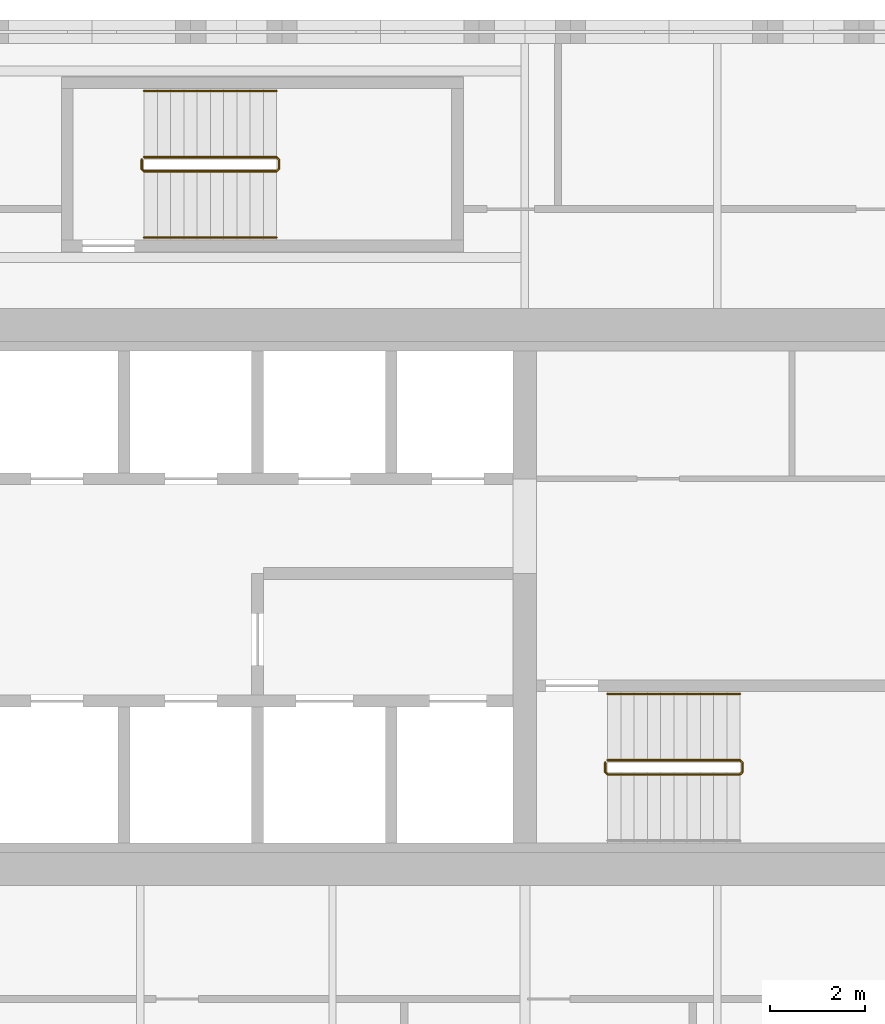
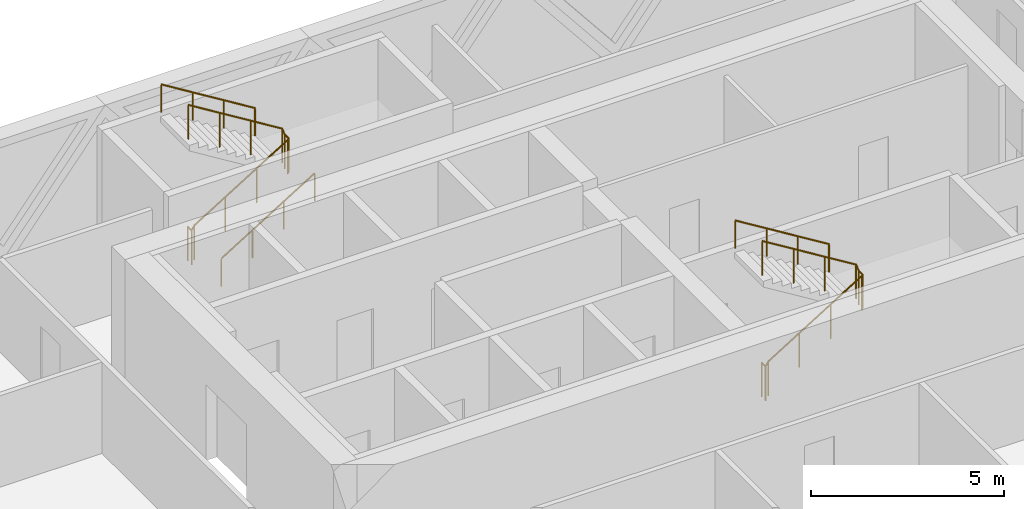
# One storey, part 24 of 24: 5 railings.
"""IFC4 building model written with IfcOpenShell, lengths in metres."""

from ifc_helpers import new_model, si_unit, direction, frame, origin, origin_2d, place, context, subcontext, project, spatial, circle, extrude, material, type_object, element, save


model = new_model("IFC4")

# Units and contexts
model_context = context("Model", 3, precision=1e-05, world=origin(), true_north=direction((0.0, 1.0)))
body_context = subcontext(model_context, "Body", "Model", "MODEL_VIEW")
ifc_project = project(units=[si_unit("LENGTHUNIT", "METRE"), si_unit("AREAUNIT", "SQUARE_METRE"), si_unit("VOLUMEUNIT", "CUBIC_METRE"), si_unit("PLANEANGLEUNIT", "RADIAN"), si_unit("MASSUNIT", "GRAM", prefix="KILO")], contexts=[model_context])

# Site, building, storey
site_placement = place(None, origin())
site = spatial("IfcSite", under=ifc_project, at=site_placement, CompositionType="ELEMENT")
building_placement = place(site_placement, origin())
building = spatial("IfcBuilding", under=site, at=building_placement, Name="Tessera Gate Towers", CompositionType="ELEMENT")
storey_placement = place(building_placement, frame((0.0, 0.0, 60.0)))
storey = spatial("IfcBuildingStorey", under=building, at=storey_placement, Name="L14", CompositionType="ELEMENT", Elevation=60.0)

# Railings
ifc_material_1 = material(Name="Steel 350W", Category="steel")
railing_type_1 = type_object("IfcRailingType", Name="STAIR GUARD 1100", PredefinedType="GUARDRAIL", material=ifc_material_1)
railing_1_placement = place(storey_placement, frame((111.5, 39.199951171875, 0.0)))
element("IfcRailing", 1, at=railing_1_placement, inside=storey, type_object=railing_type_1, Name="L14 ST6 stair guard 1", PredefinedType="GUARDRAIL", context=body_context, shape_type="SweptSolid", body=[
    extrude(circle(Radius=0.02392578125, at=origin_2d()), frame((0.0, 0.0, 1.076171875), z_axis=(0.0, -1.0, 0.0), x_axis=(1.0, 0.0, 0.0)), (0.0, 0.0, 1.0), 0.199951171875),
    extrude(circle(Radius=0.02392578125, at=origin_2d()), frame((0.0, -0.199951171875, 1.076171875), z_axis=(0.268277960024, -0.268277960024, 0.925231793839), x_axis=(0.707106781187, 0.707106781187, 0.0)), (0.0, 0.0, 1.0), 0.1865234375),
    extrude(circle(Radius=0.02392578125, at=origin_2d()), frame((0.050048828125, -0.25, 1.24853515625), z_axis=(0.851089632645, 0.0, 0.525020415988), x_axis=(0.0, 1.0, 0.0)), (0.0, 0.0, 1.0), 3.2900390625),
    extrude(circle(Radius=0.02392578125, at=origin_2d()), frame((2.85009765625, -0.25, 2.97607421875), z_axis=(0.705375805398, 0.708833529934, 0.0), x_axis=(-0.708833529934, 0.705375805398, 0.0)), (0.0, 0.0, 1.0), 0.070556640625),
    extrude(circle(Radius=0.02392578125, at=origin_2d()), frame((2.89990234375, -0.199951171875, 2.97607421875), z_axis=(0.0, 1.0, 0.0), x_axis=(-1.0, 0.0, 0.0)), (0.0, 0.0, 1.0), 0.199951171875),
    extrude(circle(Radius=0.02392578125, at=origin_2d()), frame((2.89990234375, 0.0, 2.97607421875), z_axis=(-0.266739603011, 0.268047150085, 0.925743328097), x_axis=(-0.708833529934, -0.705375805398, 0.0)), (0.0, 0.0, 1.0), 0.186767578125),
    extrude(circle(Radius=0.02392578125, at=origin_2d()), frame((2.85009765625, 0.050048828125, 3.14892578125), z_axis=(-0.851089632645, 0.0, 0.525020415988), x_axis=(0.0, -1.0, 0.0)), (0.0, 0.0, 1.0), 3.2900390625),
    extrude(circle(Radius=0.02099609375, at=origin_2d()), origin(), (0.0, 0.0, 1.0), 1.052001953125),
    extrude(circle(Radius=0.02099609375, at=origin_2d()), frame((0.0, -0.199951171875, 0.0)), (0.0, 0.0, 1.0), 1.052001953125),
    extrude(circle(Radius=0.02099609375, at=origin_2d()), frame((0.050048828125, -0.25, 0.172607421875)), (0.0, 0.0, 1.0), 1.052001953125),
    extrude(circle(Radius=0.02099609375, at=origin_2d()), frame((0.9833984375, -0.25, 0.748291015625)), (0.0, 0.0, 1.0), 1.052001953125),
    extrude(circle(Radius=0.02099609375, at=origin_2d()), frame((1.916748046875, -0.25, 1.32421875)), (0.0, 0.0, 1.0), 1.052001953125),
    extrude(circle(Radius=0.02099609375, at=origin_2d()), frame((2.85009765625, -0.25, 1.89990234375)), (0.0, 0.0, 1.0), 1.052001953125),
    extrude(circle(Radius=0.02099609375, at=origin_2d()), frame((2.89990234375, -0.199951171875, 1.89990234375)), (0.0, 0.0, 1.0), 1.052001953125),
    extrude(circle(Radius=0.02099609375, at=origin_2d()), frame((2.89990234375, 0.0, 1.89990234375)), (0.0, 0.0, 1.0), 1.052001953125),
    extrude(circle(Radius=0.02099609375, at=origin_2d()), frame((2.85009765625, 0.050048828125, 2.07275390625)), (0.0, 0.0, 1.0), 1.052001953125),
    extrude(circle(Radius=0.02099609375, at=origin_2d()), frame((1.916748046875, 0.050048828125, 2.6484375)), (0.0, 0.0, 1.0), 1.052001953125),
    extrude(circle(Radius=0.02099609375, at=origin_2d()), frame((0.9833984375, 0.050048828125, 3.224365234375)), (0.0, 0.0, 1.0), 1.052001953125),
    extrude(circle(Radius=0.02099609375, at=origin_2d()), frame((0.050048828125, 0.050048828125, 3.800048828125)), (0.0, 0.0, 1.0), 1.052001953125),
])
railing_2_placement = place(storey_placement, frame((101.699951171875, 51.949951171875, 0.0)))
element("IfcRailing", 2, at=railing_2_placement, inside=storey, type_object=railing_type_1, Name="L14 ST7 stair guard 1", PredefinedType="GUARDRAIL", context=body_context, shape_type="SweptSolid", body=[
    extrude(circle(Radius=0.02392578125, at=origin_2d()), frame((0.0, 0.0, 1.076171875), z_axis=(0.0, -1.0, 0.0), x_axis=(1.0, 0.0, 0.0)), (0.0, 0.0, 1.0), 0.199951171875),
    extrude(circle(Radius=0.02392578125, at=origin_2d()), frame((0.0, -0.199951171875, 1.076171875), z_axis=(0.268277960024, -0.268277960024, 0.925231793839), x_axis=(0.707106781187, 0.707106781187, 0.0)), (0.0, 0.0, 1.0), 0.1865234375),
    extrude(circle(Radius=0.02392578125, at=origin_2d()), frame((0.050048828125, -0.25, 1.24853515625), z_axis=(0.851089632645, 0.0, 0.525020415988), x_axis=(0.0, 1.0, 0.0)), (0.0, 0.0, 1.0), 3.2900390625),
    extrude(circle(Radius=0.02392578125, at=origin_2d()), frame((2.85009765625, -0.25, 2.97607421875), z_axis=(0.707106781187, 0.707106781187, 0.0), x_axis=(-0.707106781187, 0.707106781187, 0.0)), (0.0, 0.0, 1.0), 0.07080078125),
    extrude(circle(Radius=0.02392578125, at=origin_2d()), frame((2.900146484375, -0.199951171875, 2.97607421875), z_axis=(0.0, 1.0, 0.0), x_axis=(-1.0, 0.0, 0.0)), (0.0, 0.0, 1.0), 0.199951171875),
    extrude(circle(Radius=0.02392578125, at=origin_2d()), frame((2.900146484375, 0.0, 2.97607421875), z_axis=(-0.267953482034, 0.267953482034, 0.925419830635), x_axis=(-0.707106781187, -0.707106781187, 0.0)), (0.0, 0.0, 1.0), 0.186767578125),
    extrude(circle(Radius=0.02392578125, at=origin_2d()), frame((2.85009765625, 0.050048828125, 3.14892578125), z_axis=(-0.851089632645, 0.0, 0.525020415988), x_axis=(0.0, -1.0, 0.0)), (0.0, 0.0, 1.0), 3.2900390625),
    extrude(circle(Radius=0.02099609375, at=origin_2d()), origin(), (0.0, 0.0, 1.0), 1.052001953125),
    extrude(circle(Radius=0.02099609375, at=origin_2d()), frame((0.0, -0.199951171875, 0.0)), (0.0, 0.0, 1.0), 1.052001953125),
    extrude(circle(Radius=0.02099609375, at=origin_2d()), frame((0.050048828125, -0.25, 0.172607421875)), (0.0, 0.0, 1.0), 1.052001953125),
    extrude(circle(Radius=0.02099609375, at=origin_2d()), frame((0.9833984375, -0.25, 0.748291015625)), (0.0, 0.0, 1.0), 1.052001953125),
    extrude(circle(Radius=0.02099609375, at=origin_2d()), frame((1.916748046875, -0.25, 1.32421875)), (0.0, 0.0, 1.0), 1.052001953125),
    extrude(circle(Radius=0.02099609375, at=origin_2d()), frame((2.85009765625, -0.25, 1.89990234375)), (0.0, 0.0, 1.0), 1.052001953125),
    extrude(circle(Radius=0.02099609375, at=origin_2d()), frame((2.900146484375, -0.199951171875, 1.89990234375)), (0.0, 0.0, 1.0), 1.052001953125),
    extrude(circle(Radius=0.02099609375, at=origin_2d()), frame((2.900146484375, 0.0, 1.89990234375)), (0.0, 0.0, 1.0), 1.052001953125),
    extrude(circle(Radius=0.02099609375, at=origin_2d()), frame((2.85009765625, 0.050048828125, 2.07275390625)), (0.0, 0.0, 1.0), 1.052001953125),
    extrude(circle(Radius=0.02099609375, at=origin_2d()), frame((1.916748046875, 0.050048828125, 2.6484375)), (0.0, 0.0, 1.0), 1.052001953125),
    extrude(circle(Radius=0.02099609375, at=origin_2d()), frame((0.9833984375, 0.050048828125, 3.224365234375)), (0.0, 0.0, 1.0), 1.052001953125),
    extrude(circle(Radius=0.02099609375, at=origin_2d()), frame((0.050048828125, 0.050048828125, 3.800048828125)), (0.0, 0.0, 1.0), 1.052001953125),
])
ifc_material_2 = material(Name="Steel 350W", Category="steel")
railing_type_2 = type_object("IfcRailingType", Name="STAIR HANDRAIL 900", PredefinedType="HANDRAIL", material=ifc_material_2)
railing_3_placement = place(storey_placement, frame((114.35009765625, 40.64990234375, 2.07275390625)))
element("IfcRailing", 3, at=railing_3_placement, inside=storey, type_object=railing_type_2, Name="L14 ST6 stair handrail 2", PredefinedType="HANDRAIL", context=body_context, shape_type="SweptSolid", body=[
    extrude(circle(Radius=0.02392578125, at=origin_2d()), frame((0.0, 0.0, 0.8759765625), z_axis=(-0.851089632645, 0.0, 0.525020415988), x_axis=(0.0, -1.0, 0.0)), (0.0, 0.0, 1.0), 3.2900390625),
    extrude(circle(Radius=0.02099609375, at=origin_2d()), origin(), (0.0, 0.0, 1.0), 0.851806640625),
    extrude(circle(Radius=0.02099609375, at=origin_2d()), frame((-0.933349609375, 0.0, 0.57568359375)), (0.0, 0.0, 1.0), 0.851806640625),
    extrude(circle(Radius=0.02099609375, at=origin_2d()), frame((-1.86669921875, 0.0, 1.151611328125)), (0.0, 0.0, 1.0), 0.851806640625),
    extrude(circle(Radius=0.02099609375, at=origin_2d()), frame((-2.800048828125, 0.0, 1.727294921875)), (0.0, 0.0, 1.0), 0.851806640625),
])
railing_4_placement = place(storey_placement, frame((101.75, 50.300048828125, 0.172607421875)))
element("IfcRailing", 4, at=railing_4_placement, inside=storey, type_object=railing_type_2, Name="L14 ST7 stair handrail 1", PredefinedType="HANDRAIL", context=body_context, shape_type="SweptSolid", body=[
    extrude(circle(Radius=0.02392578125, at=origin_2d()), frame((0.0, 0.0, 0.8759765625), z_axis=(0.851089632645, 0.0, 0.525020415988), x_axis=(0.0, 1.0, 0.0)), (0.0, 0.0, 1.0), 3.2900390625),
    extrude(circle(Radius=0.02099609375, at=origin_2d()), origin(), (0.0, 0.0, 1.0), 0.851806640625),
    extrude(circle(Radius=0.02099609375, at=origin_2d()), frame((0.933349609375, 0.0, 0.57568359375)), (0.0, 0.0, 1.0), 0.851806640625),
    extrude(circle(Radius=0.02099609375, at=origin_2d()), frame((1.86669921875, 0.0, 1.151611328125)), (0.0, 0.0, 1.0), 0.851806640625),
    extrude(circle(Radius=0.02099609375, at=origin_2d()), frame((2.800048828125, 0.0, 1.727294921875)), (0.0, 0.0, 1.0), 0.851806640625),
])
railing_5_placement = place(storey_placement, frame((104.550048828125, 53.39990234375, 2.07275390625)))
element("IfcRailing", 5, at=railing_5_placement, inside=storey, type_object=railing_type_2, Name="L14 ST7 stair handrail 2", PredefinedType="HANDRAIL", context=body_context, shape_type="SweptSolid", body=[
    extrude(circle(Radius=0.02392578125, at=origin_2d()), frame((0.0, 0.0, 0.8759765625), z_axis=(-0.851089632645, 0.0, 0.525020415988), x_axis=(0.0, -1.0, 0.0)), (0.0, 0.0, 1.0), 3.2900390625),
    extrude(circle(Radius=0.02099609375, at=origin_2d()), origin(), (0.0, 0.0, 1.0), 0.851806640625),
    extrude(circle(Radius=0.02099609375, at=origin_2d()), frame((-0.933349609375, 0.0, 0.57568359375)), (0.0, 0.0, 1.0), 0.851806640625),
    extrude(circle(Radius=0.02099609375, at=origin_2d()), frame((-1.86669921875, 0.0, 1.151611328125)), (0.0, 0.0, 1.0), 0.851806640625),
    extrude(circle(Radius=0.02099609375, at=origin_2d()), frame((-2.800048828125, 0.0, 1.727294921875)), (0.0, 0.0, 1.0), 0.851806640625),
])

save(model, "model.ifc")
